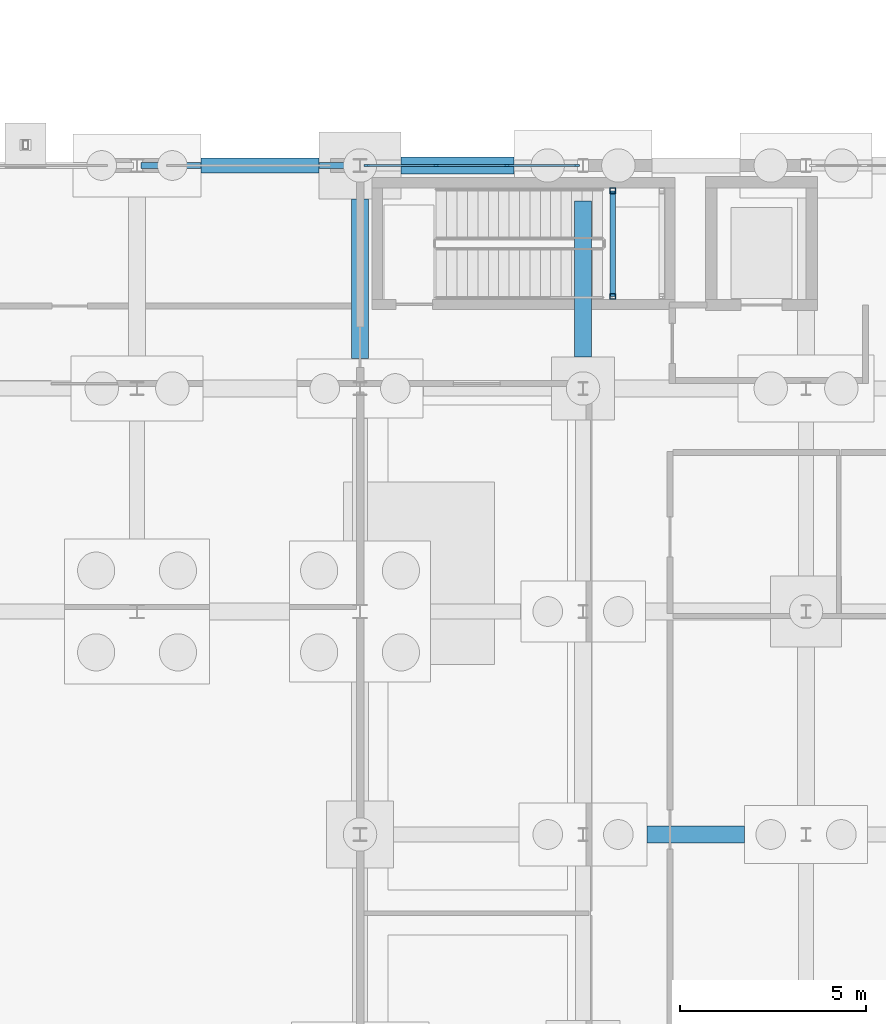
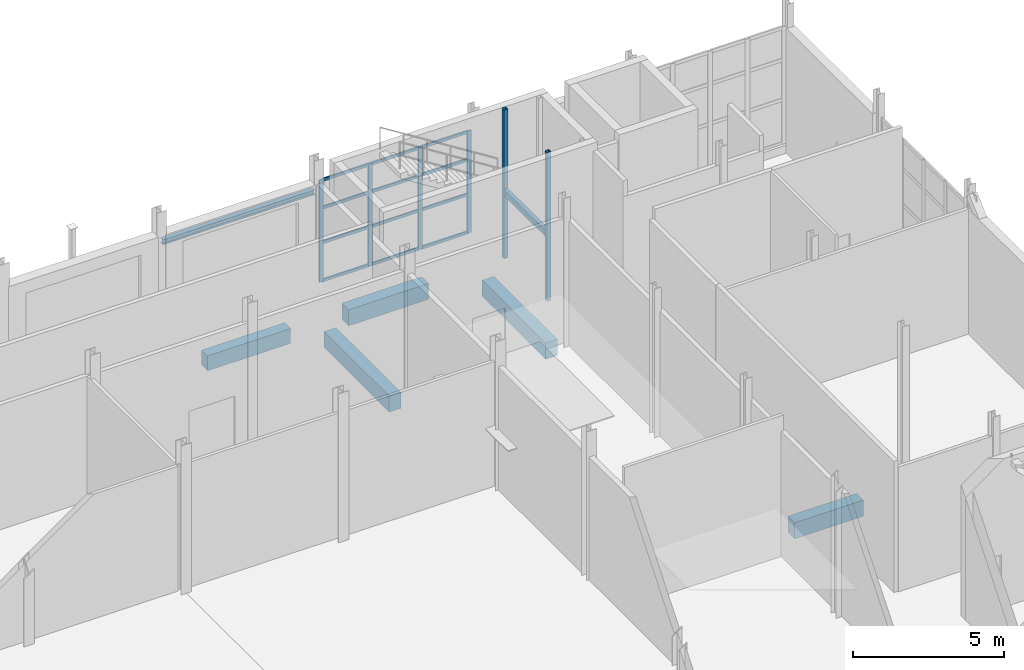
# One storey, part 48 of 120: 18 members, 7 beams, 1 element without a shape of its own.
"""IFC4 building model written with IfcOpenShell, lengths in metres."""

import ifcopenshell
import ifcopenshell.guid

model = None  # the IFC model being written
_history = None  # IfcOwnerHistory: only IFC2X3 demands one
_inside = {}  # id of a spatial element -> (the spatial element, [elements in it])
_under = {}  # id of a project, library or spatial element -> (it, [spatial elements below it])
_declared = {}  # id of a project -> (the project, [libraries it declares])
_typed = {}  # id of a type object -> (the type object, [elements of that type])
_made_of = {}  # id of a material, layer set ... -> (it, [elements and type objects made of it])


def new_model(schema):
    """Start an empty IFC model of exactly this schema.

    Asked for "IFC4X3", IfcOpenShell would pick the latest addendum, in which some entities
    have other attributes; the version numbers below select the first issue.
    IFC2X3 requires an IfcOwnerHistory on every rooted entity: one is made here for all.
    """
    global model, _history
    if schema == "IFC4X3":
        model = ifcopenshell.file(schema_version=(4, 3, 0, 0))
    else:
        model = ifcopenshell.file(schema=schema)
    _inside.clear()
    _under.clear()
    _declared.clear()
    _typed.clear()
    _made_of.clear()
    _history = None
    if model.schema == "IFC2X3":
        org = make("IfcOrganization", Name="unknown")
        user = make(
            "IfcPersonAndOrganization",
            ThePerson=make("IfcPerson", FamilyName="unknown"),
            TheOrganization=org,
        )
        app = make(
            "IfcApplication",
            ApplicationDeveloper=org,
            Version="unknown",
            ApplicationFullName="unknown",
            ApplicationIdentifier="unknown",
        )
        _history = make(
            "IfcOwnerHistory",
            OwningUser=user,
            OwningApplication=app,
            ChangeAction="ADDED",
            CreationDate=0,
        )
    return model


def make(cls, **values):
    """One entity of the class cls with the attributes given. An attribute that is None is left unset."""
    return model.create_entity(
        cls, **{name: value for name, value in values.items() if value is not None}
    )


def rooted(cls, **values):
    """An entity with a GlobalId (a new one), such as an element, a storey or a relation."""
    return make(cls, GlobalId=ifcopenshell.guid.new(), OwnerHistory=_history, **values)


def si_unit(unit_type, name, prefix=None):
    """IfcSIUnit, for example si_unit("LENGTHUNIT", "METRE", prefix="MILLI")."""
    return make("IfcSIUnit", UnitType=unit_type, Prefix=prefix, Name=name)


def assignment(units):
    """IfcUnitAssignment: the units of a project."""
    return None if units is None else make("IfcUnitAssignment", Units=units)


def point(xyz):
    """IfcCartesianPoint."""
    return None if xyz is None else make("IfcCartesianPoint", Coordinates=xyz)


def direction(xyz):
    """IfcDirection."""
    return None if xyz is None else make("IfcDirection", DirectionRatios=xyz)


def frame(location, z_axis=None, x_axis=None):
    """IfcAxis2Placement3D, a coordinate frame: its origin and axes. An axis left out is left unset."""
    return make(
        "IfcAxis2Placement3D",
        Location=point(location),
        Axis=direction(z_axis),
        RefDirection=direction(x_axis),
    )


def frame_2d(location, x_axis=None):
    """IfcAxis2Placement2D, a coordinate frame in the plane: its origin and x axis."""
    return make(
        "IfcAxis2Placement2D", Location=point(location), RefDirection=direction(x_axis)
    )


def origin():
    """The frame at (0, 0, 0) with its axes left unset."""
    return frame((0.0, 0.0, 0.0))


def origin_2d():
    """The frame at (0, 0) in the plane with its x axis left unset."""
    return frame_2d((0.0, 0.0))


def place(relative_to, where):
    """IfcLocalPlacement: puts the frame where relative to a parent placement (None: the world)."""
    return make(
        "IfcLocalPlacement", PlacementRelTo=relative_to, RelativePlacement=where
    )


def context(
    kind, dimensions, precision=None, world=None, true_north=None, identifier=None
):
    """IfcGeometricRepresentationContext, for example the 3D "Model" context."""
    return make(
        "IfcGeometricRepresentationContext",
        ContextIdentifier=identifier,
        ContextType=kind,
        CoordinateSpaceDimension=dimensions,
        Precision=precision,
        WorldCoordinateSystem=world,
        TrueNorth=true_north,
    )


def subcontext(parent, identifier, kind, view, scale=None):
    """IfcGeometricRepresentationSubContext, for example "Body" below "Model"."""
    return make(
        "IfcGeometricRepresentationSubContext",
        ContextIdentifier=identifier,
        ContextType=kind,
        ParentContext=parent,
        TargetScale=scale,
        TargetView=view,
    )


def project(units=None, contexts=None):
    """IfcProject with its units and contexts."""
    return rooted(
        "IfcProject",
        Name="project",
        RepresentationContexts=contexts,
        UnitsInContext=assignment(units),
    )


def spatial(cls, under=None, at=None, **own):
    """A site, building, storey or space (cls), placed at a placement, below another one or the project."""
    s = rooted(cls, ObjectPlacement=at, **own)
    if under is not None:
        _under.setdefault(under.id(), (under, []))[1].append(s)
    return s


def profile(cls, at=None, kind="AREA", **sizes):
    """A parametric profile (cls). Its sizes go by their IFC names, for example OverallWidth=200.0."""
    return make(cls, ProfileType=kind, Position=at, **sizes)


def rectangle(**sizes):
    """IfcRectangleProfileDef."""
    return profile("IfcRectangleProfileDef", **sizes)


def hollow_rectangle(**sizes):
    """IfcRectangleHollowProfileDef."""
    return profile("IfcRectangleHollowProfileDef", **sizes)


def i_section(**sizes):
    """IfcIShapeProfileDef."""
    return profile("IfcIShapeProfileDef", **sizes)


def extrude(swept, where, along, depth):
    """IfcExtrudedAreaSolid: the profile swept, set in the frame where, extruded along a direction by depth."""
    return make(
        "IfcExtrudedAreaSolid",
        SweptArea=swept,
        Position=where,
        ExtrudedDirection=direction(along),
        Depth=depth,
    )


def shape(context_of_items, identifier, shape_type, items):
    """IfcShapeRepresentation: the items that make up one representation, for example the "Body"."""
    return make(
        "IfcShapeRepresentation",
        ContextOfItems=context_of_items,
        RepresentationIdentifier=identifier,
        RepresentationType=shape_type,
        Items=items,
    )


def material(Name=None, Category=None):
    """IfcMaterial."""
    return make("IfcMaterial", Name=Name, Category=Category)


def material_profile(
    of_material, cross_section, Name=None, Category=None, Priority=None
):
    """IfcMaterialProfile: a cross section and its material."""
    return make(
        "IfcMaterialProfile",
        Name=Name,
        Material=of_material,
        Profile=cross_section,
        Priority=Priority,
        Category=Category,
    )


def profile_set(profiles, Name=None, composite=None):
    """IfcMaterialProfileSet."""
    return make(
        "IfcMaterialProfileSet",
        Name=Name,
        MaterialProfiles=profiles,
        CompositeProfile=composite,
    )


def made_of(thing, what):
    """Note that an element or type object is made of a material, layer set ...; save() writes the relation."""
    if what is not None:
        _made_of.setdefault(what.id(), (what, []))[1].append(thing)
    return thing


def type_object(cls, material=None, **own):
    """A type object (cls), such as IfcWallType, which elements share."""
    return made_of(rooted(cls, **own), material)


def element(
    cls,
    number,
    at=None,
    inside=None,
    cuts=None,
    type_object=None,
    material=None,
    context=None,
    identifier="Body",
    shape_type=None,
    held_by="IfcProductDefinitionShape",
    body=None,
    shapes=None,
    **own,
):
    """One element of the class cls, such as IfcWall. Its Tag is "e" and its number.

    at: its placement. inside: the storey or other place that contains it. cuts: it is an
    opening in that element (IfcRelVoidsElement). A single representation is given by context,
    identifier, shape_type and body (its items); several are given by shapes. held_by: the class
    of the entity that holds the representations. save() writes the other relations.
    """
    e = rooted(cls, Tag="e%d" % number, ObjectPlacement=at, **own)
    if body is not None:
        shapes = [shape(context, identifier, shape_type, body)]
    if shapes is not None:
        e.Representation = make(held_by, Representations=shapes)
    if inside is not None:
        _inside.setdefault(inside.id(), (inside, []))[1].append(e)
    if cuts is not None:
        rooted(
            "IfcRelVoidsElement", RelatingBuildingElement=cuts, RelatedOpeningElement=e
        )
    if type_object is not None:
        _typed.setdefault(type_object.id(), (type_object, []))[1].append(e)
    return made_of(e, material)


def aggregate(whole, parts):
    """IfcRelAggregates: a whole, such as a stair, and the parts it consists of."""
    return rooted("IfcRelAggregates", RelatingObject=whole, RelatedObjects=parts)


def save(model, path):
    """Write the relations noted so far, then the file.

    IfcRelAggregates (storeys below a building ...), IfcRelContainedInSpatialStructure (elements
    in a storey), IfcRelDefinesByType, IfcRelAssociatesMaterial and IfcRelDeclares: one each for
    every whole, place, type object, material and project.
    """
    for whole, parts in _under.values():
        aggregate(whole, parts)
    for where, things in _inside.values():
        rooted(
            "IfcRelContainedInSpatialStructure",
            RelatedElements=things,
            RelatingStructure=where,
        )
    for kind, things in _typed.values():
        rooted("IfcRelDefinesByType", RelatedObjects=things, RelatingType=kind)
    for what, things in _made_of.values():
        rooted("IfcRelAssociatesMaterial", RelatedObjects=things, RelatingMaterial=what)
    for by, libraries in _declared.values():
        rooted("IfcRelDeclares", RelatingContext=by, RelatedDefinitions=libraries)
    model.write(path)


model = new_model("IFC4")

# Units and contexts
model_context = context("Model", 3, precision=1e-05, world=origin(), true_north=direction((0.0, 1.0)))
body_context = subcontext(model_context, "Body", "Model", "MODEL_VIEW")
ifc_project = project(units=[si_unit("LENGTHUNIT", "METRE"), si_unit("AREAUNIT", "SQUARE_METRE"), si_unit("VOLUMEUNIT", "CUBIC_METRE"), si_unit("PLANEANGLEUNIT", "RADIAN"), si_unit("MASSUNIT", "GRAM", prefix="KILO")], contexts=[model_context])

# Site, building, storey
site_placement = place(None, origin())
site = spatial("IfcSite", under=ifc_project, at=site_placement, CompositionType="ELEMENT")
building_placement = place(site_placement, origin())
building = spatial("IfcBuilding", under=site, at=building_placement, Name="Siltcreek Boulevard Central Fire Station", CompositionType="ELEMENT")
storey_placement = place(building_placement, origin())
storey = spatial("IfcBuildingStorey", under=building, at=storey_placement, Name="L01", CompositionType="ELEMENT", Elevation=0.0)

# Members
ifc_material_1 = material(Name="Structural steel ASTM A500 GrC", Category="steel")
ifc_material_profile_1 = material_profile(ifc_material_1, hollow_rectangle(XDim=0.14990234375, YDim=0.14990234375, WallThickness=0.008056640625, at=origin_2d()), Name="HSS150X150X8.0")
ifc_profile_set_1 = profile_set([ifc_material_profile_1], Name="Structural steel ASTM A500 GrC")
member_type_1 = type_object("IfcMemberType", Name="BR_HSS150_8", PredefinedType="BRACE", material=ifc_profile_set_1)
for number, where, z_axis, x_axis, name in (
    (1, (96.800048828125, 50.47998046875, 0.0), (0.0, 0.0, 1.0), (1.0, 0.0, 0.0), "L01 ST-V2A stair landing corner post SW"),
    (2, (96.800048828125, 53.320068359375, 0.0), (0.0, 0.0, 1.0), (1.0, 0.0, 0.0), "L01 ST-V2A stair landing corner post NW"),
):
    element("IfcMember", number, at=place(storey_placement, frame(where, z_axis=z_axis, x_axis=x_axis)), inside=storey, type_object=member_type_1, Name=name, PredefinedType="BRACE", context=body_context, shape_type="SweptSolid", body=[
        extrude(hollow_rectangle(XDim=0.14990234375, YDim=0.14990234375, WallThickness=0.008056640625, at=origin_2d()), origin(), (0.0, 0.0, 1.0), 6.0),
    ])

# Curtain wall, members
ifc_material_2 = material(Name="Anodized aluminum and low-E insulated glazing", Category="aluminium")
curtain_wall_type = type_object("IfcCurtainWallType", Name="CW_SYS_18", PredefinedType="USERDEFINED", material=ifc_material_2)
curtain_wall_placement = place(storey_placement, origin())
curtain_wall = element("IfcCurtainWall", 3, at=curtain_wall_placement, inside=storey, type_object=curtain_wall_type, Name="L01 V2 unitised curtain wall CW-017", ObjectType="CURTAIN WALL", PredefinedType="USERDEFINED")
ifc_material_3 = material(Name="Anodized 6063-T6 aluminum framing", Category="aluminium")
ifc_material_profile_2 = material_profile(ifc_material_3, rectangle(XDim=0.06005859375, YDim=0.14990234375, at=origin_2d()), Name="MULL60X150")
ifc_profile_set_2 = profile_set([ifc_material_profile_2], Name="Anodized 6063-T6 aluminum framing")
member_type_2 = type_object("IfcMemberType", Name="CWM_60X150", PredefinedType="MULLION", material=ifc_profile_set_2)
member_1_placement = place(storey_placement, frame((95.824951171875, 54.0, 0.919921875), z_axis=(0.0, 0.0, 1.0), x_axis=(0.0, -1.0, 0.0)))
member_1 = element("IfcMember", 4, at=member_1_placement, type_object=member_type_2, Name="CW-017 mullion 1", PredefinedType="MULLION", context=body_context, shape_type="SweptSolid", body=[
    extrude(rectangle(XDim=0.06005859375, YDim=0.14990234375, at=origin_2d()), origin(), (0.0, 0.0, 1.0), 4.114990234375),
])
member_2_placement = place(storey_placement, frame((93.95166015625, 54.0, 0.919921875), z_axis=(0.0, 0.0, 1.0), x_axis=(0.0, -1.0, 0.0)))
member_2 = element("IfcMember", 5, at=member_2_placement, type_object=member_type_2, Name="CW-017 mullion 2", PredefinedType="MULLION", context=body_context, shape_type="SweptSolid", body=[
    extrude(rectangle(XDim=0.06005859375, YDim=0.14990234375, at=origin_2d()), origin(), (0.0, 0.0, 1.0), 4.114990234375),
])
member_3_placement = place(storey_placement, frame((92.04833984375, 54.0, 0.919921875), z_axis=(0.0, 0.0, 1.0), x_axis=(0.0, -1.0, 0.0)))
member_3 = element("IfcMember", 6, at=member_3_placement, type_object=member_type_2, Name="CW-017 mullion 3", PredefinedType="MULLION", context=body_context, shape_type="SweptSolid", body=[
    extrude(rectangle(XDim=0.06005859375, YDim=0.14990234375, at=origin_2d()), origin(), (0.0, 0.0, 1.0), 4.114990234375),
])
member_4_placement = place(storey_placement, frame((90.175048828125, 54.0, 0.919921875), z_axis=(0.0, 0.0, 1.0), x_axis=(0.0, -1.0, 0.0)))
member_4 = element("IfcMember", 7, at=member_4_placement, type_object=member_type_2, Name="CW-017 mullion 4", PredefinedType="MULLION", context=body_context, shape_type="SweptSolid", body=[
    extrude(rectangle(XDim=0.06005859375, YDim=0.14990234375, at=origin_2d()), origin(), (0.0, 0.0, 1.0), 4.114990234375),
])
ifc_material_profile_3 = material_profile(ifc_material_3, rectangle(XDim=0.06005859375, YDim=0.114990234375, at=origin_2d()), Name="TRAN60X115")
ifc_profile_set_3 = profile_set([ifc_material_profile_3], Name="Anodized 6063-T6 aluminum framing")
member_type_3 = type_object("IfcMemberType", Name="CWT_60X115", PredefinedType="USERDEFINED", material=ifc_profile_set_3)
member_5_placement = place(storey_placement, frame((95.794921875, 54.0, 0.949951171875), z_axis=(-1.0, 0.0, 0.0), x_axis=(0.0, -1.0, 0.0)))
member_5 = element("IfcMember", 8, at=member_5_placement, type_object=member_type_3, Name="CW-017 transom 1.1", ObjectType="TRANSOM", PredefinedType="USERDEFINED", context=body_context, shape_type="SweptSolid", body=[
    extrude(rectangle(XDim=0.06005859375, YDim=0.114990234375, at=origin_2d()), origin(), (0.0, 0.0, 1.0), 1.813232421875),
])
member_6_placement = place(storey_placement, frame((95.794921875, 54.0, 2.483642578125), z_axis=(-1.0, 0.0, 0.0), x_axis=(0.0, -1.0, 0.0)))
member_6 = element("IfcMember", 9, at=member_6_placement, type_object=member_type_3, Name="CW-017 transom 1.2", ObjectType="TRANSOM", PredefinedType="USERDEFINED", context=body_context, shape_type="SweptSolid", body=[
    extrude(rectangle(XDim=0.06005859375, YDim=0.114990234375, at=origin_2d()), origin(), (0.0, 0.0, 1.0), 1.813232421875),
])
member_7_placement = place(storey_placement, frame((95.794921875, 54.0, 3.8828125), z_axis=(-1.0, 0.0, 0.0), x_axis=(0.0, -1.0, 0.0)))
member_7 = element("IfcMember", 10, at=member_7_placement, type_object=member_type_3, Name="CW-017 transom 1.3", ObjectType="TRANSOM", PredefinedType="USERDEFINED", context=body_context, shape_type="SweptSolid", body=[
    extrude(rectangle(XDim=0.06005859375, YDim=0.114990234375, at=origin_2d()), origin(), (0.0, 0.0, 1.0), 1.813232421875),
])
member_8_placement = place(storey_placement, frame((95.794921875, 54.0, 5.0048828125), z_axis=(-1.0, 0.0, 0.0), x_axis=(0.0, -1.0, 0.0)))
member_8 = element("IfcMember", 11, at=member_8_placement, type_object=member_type_3, Name="CW-017 transom 1.4", ObjectType="TRANSOM", PredefinedType="USERDEFINED", context=body_context, shape_type="SweptSolid", body=[
    extrude(rectangle(XDim=0.06005859375, YDim=0.114990234375, at=origin_2d()), origin(), (0.0, 0.0, 1.0), 1.813232421875),
])
member_9_placement = place(storey_placement, frame((93.921630859375, 54.0, 0.949951171875), z_axis=(-1.0, 0.0, 0.0), x_axis=(0.0, -1.0, 0.0)))
member_9 = element("IfcMember", 12, at=member_9_placement, type_object=member_type_3, Name="CW-017 transom 2.1", ObjectType="TRANSOM", PredefinedType="USERDEFINED", context=body_context, shape_type="SweptSolid", body=[
    extrude(rectangle(XDim=0.06005859375, YDim=0.114990234375, at=origin_2d()), origin(), (0.0, 0.0, 1.0), 1.84326171875),
])
member_10_placement = place(storey_placement, frame((93.921630859375, 54.0, 2.483642578125), z_axis=(-1.0, 0.0, 0.0), x_axis=(0.0, -1.0, 0.0)))
member_10 = element("IfcMember", 13, at=member_10_placement, type_object=member_type_3, Name="CW-017 transom 2.2", ObjectType="TRANSOM", PredefinedType="USERDEFINED", context=body_context, shape_type="SweptSolid", body=[
    extrude(rectangle(XDim=0.06005859375, YDim=0.114990234375, at=origin_2d()), origin(), (0.0, 0.0, 1.0), 1.84326171875),
])
member_11_placement = place(storey_placement, frame((93.921630859375, 54.0, 3.8828125), z_axis=(-1.0, 0.0, 0.0), x_axis=(0.0, -1.0, 0.0)))
member_11 = element("IfcMember", 14, at=member_11_placement, type_object=member_type_3, Name="CW-017 transom 2.3", ObjectType="TRANSOM", PredefinedType="USERDEFINED", context=body_context, shape_type="SweptSolid", body=[
    extrude(rectangle(XDim=0.06005859375, YDim=0.114990234375, at=origin_2d()), origin(), (0.0, 0.0, 1.0), 1.84326171875),
])
member_12_placement = place(storey_placement, frame((93.921630859375, 54.0, 5.0048828125), z_axis=(-1.0, 0.0, 0.0), x_axis=(0.0, -1.0, 0.0)))
member_12 = element("IfcMember", 15, at=member_12_placement, type_object=member_type_3, Name="CW-017 transom 2.4", ObjectType="TRANSOM", PredefinedType="USERDEFINED", context=body_context, shape_type="SweptSolid", body=[
    extrude(rectangle(XDim=0.06005859375, YDim=0.114990234375, at=origin_2d()), origin(), (0.0, 0.0, 1.0), 1.84326171875),
])
member_13_placement = place(storey_placement, frame((92.018310546875, 54.0, 0.949951171875), z_axis=(-1.0, 0.0, 0.0), x_axis=(0.0, -1.0, 0.0)))
member_13 = element("IfcMember", 16, at=member_13_placement, type_object=member_type_3, Name="CW-017 transom 3.1", ObjectType="TRANSOM", PredefinedType="USERDEFINED", context=body_context, shape_type="SweptSolid", body=[
    extrude(rectangle(XDim=0.06005859375, YDim=0.114990234375, at=origin_2d()), origin(), (0.0, 0.0, 1.0), 1.813232421875),
])
member_14_placement = place(storey_placement, frame((92.018310546875, 54.0, 2.483642578125), z_axis=(-1.0, 0.0, 0.0), x_axis=(0.0, -1.0, 0.0)))
member_14 = element("IfcMember", 17, at=member_14_placement, type_object=member_type_3, Name="CW-017 transom 3.2", ObjectType="TRANSOM", PredefinedType="USERDEFINED", context=body_context, shape_type="SweptSolid", body=[
    extrude(rectangle(XDim=0.06005859375, YDim=0.114990234375, at=origin_2d()), origin(), (0.0, 0.0, 1.0), 1.813232421875),
])
member_15_placement = place(storey_placement, frame((92.018310546875, 54.0, 3.8828125), z_axis=(-1.0, 0.0, 0.0), x_axis=(0.0, -1.0, 0.0)))
member_15 = element("IfcMember", 18, at=member_15_placement, type_object=member_type_3, Name="CW-017 transom 3.3", ObjectType="TRANSOM", PredefinedType="USERDEFINED", context=body_context, shape_type="SweptSolid", body=[
    extrude(rectangle(XDim=0.06005859375, YDim=0.114990234375, at=origin_2d()), origin(), (0.0, 0.0, 1.0), 1.813232421875),
])
member_16_placement = place(storey_placement, frame((92.018310546875, 54.0, 5.0048828125), z_axis=(-1.0, 0.0, 0.0), x_axis=(0.0, -1.0, 0.0)))
member_16 = element("IfcMember", 19, at=member_16_placement, type_object=member_type_3, Name="CW-017 transom 3.4", ObjectType="TRANSOM", PredefinedType="USERDEFINED", context=body_context, shape_type="SweptSolid", body=[
    extrude(rectangle(XDim=0.06005859375, YDim=0.114990234375, at=origin_2d()), origin(), (0.0, 0.0, 1.0), 1.813232421875),
])
aggregate(curtain_wall, [member_1, member_2, member_3, member_4, member_5, member_6, member_7, member_8, member_9, member_10, member_11, member_12, member_13, member_14, member_15, member_16])

# Beams
ifc_material_4 = material(Name="Concrete C35/45", Category="concrete")
ifc_material_profile_4 = material_profile(ifc_material_4, rectangle(XDim=0.39990234375, YDim=0.60009765625, at=origin_2d()), Name="RC400X600")
ifc_profile_set_4 = profile_set([ifc_material_profile_4], Name="Concrete C35/45")
beam_type_1 = type_object("IfcBeamType", Name="GB_RC400X600", PredefinedType="USERDEFINED", material=ifc_profile_set_4)
beam_1_placement = place(storey_placement, frame((85.72705078125, 54.0, -0.7099609375), z_axis=(1.0, 0.0, 0.0), x_axis=(0.0, 1.0, 0.0)))
element("IfcBeam", 20, at=beam_1_placement, inside=storey, type_object=beam_type_1, Name="Reinforced concrete tie grade beam GB-123", ObjectType="GRADE BEAM", PredefinedType="USERDEFINED", context=body_context, shape_type="SweptSolid", body=[
    extrude(rectangle(XDim=0.39990234375, YDim=0.60009765625, at=origin_2d()), origin(), (0.0, 0.0, 1.0), 3.1708984375),
])
ifc_material_profile_5 = material_profile(ifc_material_4, rectangle(XDim=0.449951171875, YDim=0.64990234375, at=origin_2d()), Name="RC450X650")
ifc_profile_set_5 = profile_set([ifc_material_profile_5], Name="Concrete C35/45")
beam_type_2 = type_object("IfcBeamType", Name="GB_RC450X650", PredefinedType="USERDEFINED", material=ifc_profile_set_5)
beam_2_placement = place(storey_placement, frame((97.72705078125, 36.0, -0.735107421875), z_axis=(1.0, 0.0, 0.0), x_axis=(0.0, 1.0, 0.0)))
element("IfcBeam", 21, at=beam_2_placement, inside=storey, type_object=beam_type_2, Name="Reinforced concrete tie grade beam GB-084", ObjectType="GRADE BEAM", PredefinedType="USERDEFINED", context=body_context, shape_type="SweptSolid", body=[
    extrude(rectangle(XDim=0.449951171875, YDim=0.64990234375, at=origin_2d()), origin(), (0.0, 0.0, 1.0), 2.620849609375),
])
beam_3_placement = place(storey_placement, frame((91.10205078125, 54.0, -0.735107421875), z_axis=(1.0, 0.0, 0.0), x_axis=(0.0, 1.0, 0.0)))
element("IfcBeam", 22, at=beam_3_placement, inside=storey, type_object=beam_type_2, Name="Reinforced concrete tie grade beam GB-124", ObjectType="GRADE BEAM", PredefinedType="USERDEFINED", context=body_context, shape_type="SweptSolid", body=[
    extrude(rectangle(XDim=0.449951171875, YDim=0.64990234375, at=origin_2d()), origin(), (0.0, 0.0, 1.0), 3.0458984375),
])
beam_4_placement = place(storey_placement, frame((90.0, 48.802001953125, -0.735107421875), z_axis=(0.0, 1.0, 0.0), x_axis=(-1.0, 0.0, 0.0)))
element("IfcBeam", 23, at=beam_4_placement, inside=storey, type_object=beam_type_2, Name="Reinforced concrete tie grade beam GB-190", ObjectType="GRADE BEAM", PredefinedType="USERDEFINED", context=body_context, shape_type="SweptSolid", body=[
    extrude(rectangle(XDim=0.449951171875, YDim=0.64990234375, at=origin_2d()), origin(), (0.0, 0.0, 1.0), 4.2958984375),
])
beam_5_placement = place(storey_placement, frame((96.0, 48.85205078125, -0.735107421875), z_axis=(0.0, 1.0, 0.0), x_axis=(-1.0, 0.0, 0.0)))
element("IfcBeam", 24, at=beam_5_placement, inside=storey, type_object=beam_type_2, Name="Reinforced concrete tie grade beam GB-196", ObjectType="GRADE BEAM", PredefinedType="USERDEFINED", context=body_context, shape_type="SweptSolid", body=[
    extrude(rectangle(XDim=0.449951171875, YDim=0.64990234375, at=origin_2d()), origin(), (0.0, 0.0, 1.0), 4.196044921875),
])
ifc_material_5 = material(Name="Structural steel ASTM A992 Gr50", Category="steel")
ifc_material_profile_6 = material_profile(ifc_material_5, i_section(OverallWidth=0.14697265625, OverallDepth=0.261962890625, WebThickness=0.006591796875, FlangeThickness=0.01123046875, at=origin_2d()), Name="W250X39")
ifc_profile_set_6 = profile_set([ifc_material_profile_6], Name="Structural steel ASTM A992 Gr50")
beam_type_3 = type_object("IfcBeamType", Name="JST_W250X39", PredefinedType="JOIST", material=ifc_profile_set_6)
beam_6_placement = place(storey_placement, frame((96.800048828125, 50.47998046875, 2.6689453125), z_axis=(0.0, 1.0, 0.0), x_axis=(-1.0, 0.0, 0.0)))
element("IfcBeam", 25, at=beam_6_placement, inside=storey, type_object=beam_type_3, Name="L01 ST-V2A stair landing bearer MIDW", PredefinedType="JOIST", context=body_context, shape_type="SweptSolid", body=[
    extrude(i_section(OverallWidth=0.14697265625, OverallDepth=0.261962890625, WebThickness=0.006591796875, FlangeThickness=0.01123046875, at=origin_2d()), origin(), (0.0, 0.0, 1.0), 2.840087890625),
])
ifc_material_profile_7 = material_profile(ifc_material_5, i_section(OverallWidth=0.1650390625, OverallDepth=0.200927734375, WebThickness=0.006103515625, FlangeThickness=0.01025390625, at=origin_2d()), Name="W200X36")
ifc_profile_set_7 = profile_set([ifc_material_profile_7], Name="Structural steel ASTM A992 Gr50")
beam_type_4 = type_object("IfcBeamType", Name="LIN_W200X36", PredefinedType="LINTEL", material=ifc_profile_set_7)
beam_7_placement = place(storey_placement, frame((89.89990234375, 54.0, 4.669921875), z_axis=(-1.0, 0.0, 0.0), x_axis=(0.0, -1.0, 0.0)))
element("IfcBeam", 26, at=beam_7_placement, inside=storey, type_object=beam_type_4, Name="Apparatus bay header lintel beam LN-009", PredefinedType="LINTEL", context=body_context, shape_type="SweptSolid", body=[
    extrude(i_section(OverallWidth=0.1650390625, OverallDepth=0.200927734375, WebThickness=0.006103515625, FlangeThickness=0.01025390625, at=origin_2d()), origin(), (0.0, 0.0, 1.0), 5.7998046875),
])

save(model, "model.ifc")
